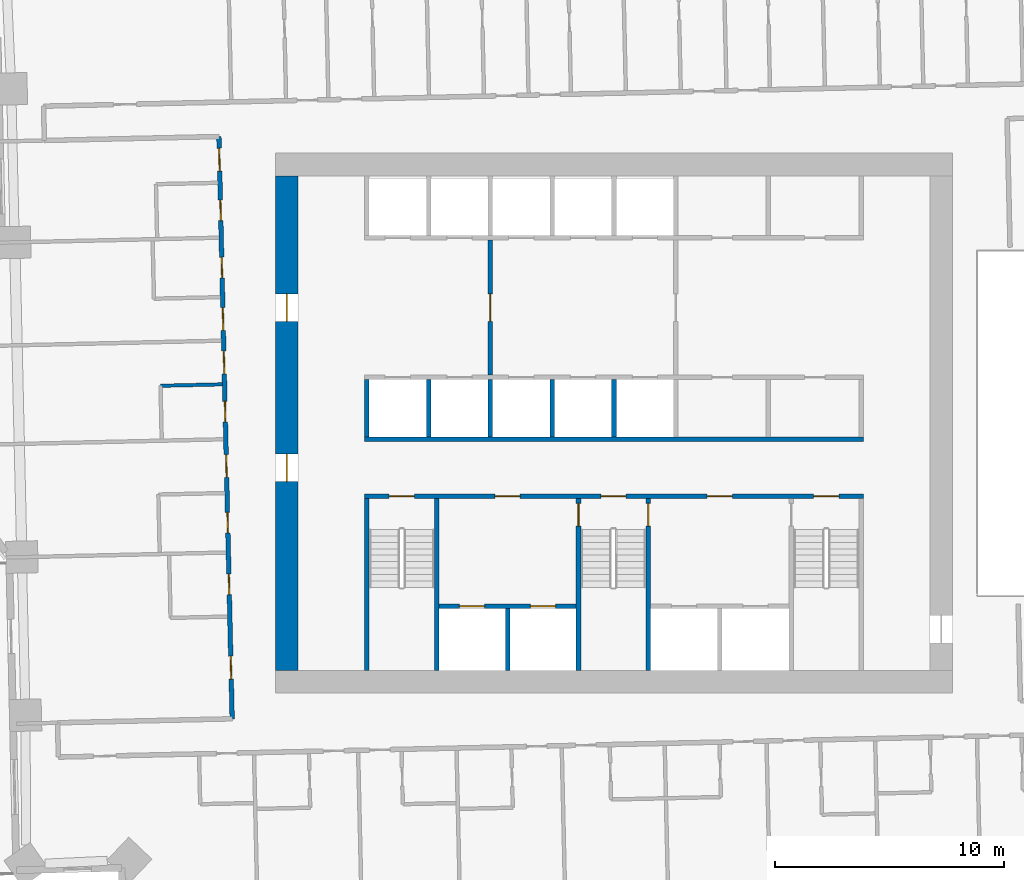
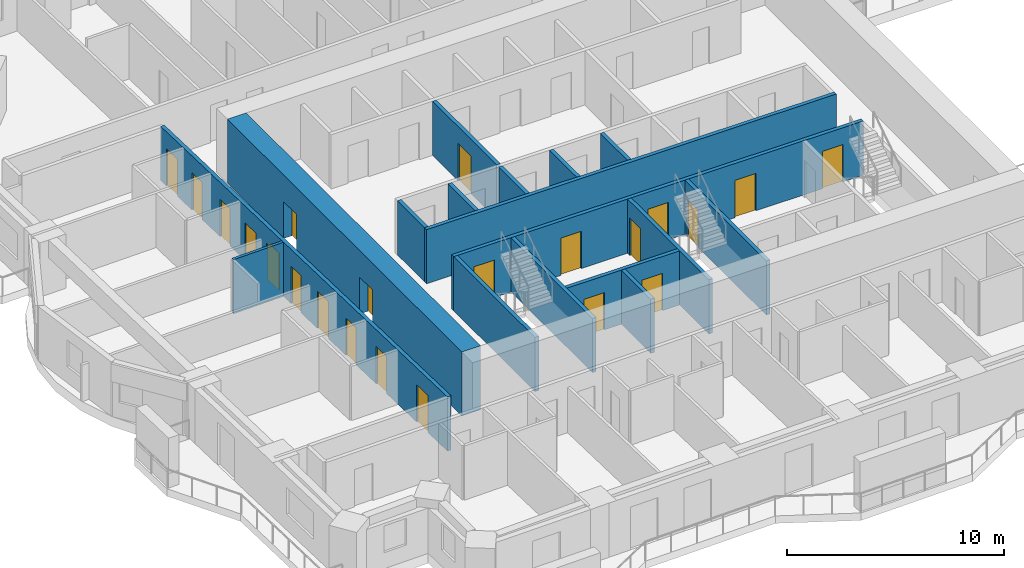
# One storey, part 8 of 17: 22 doors, 17 walls, 22 openings.
"""IFC4 building model written with IfcOpenShell, lengths in metres."""

from ifc_helpers import new_model, si_unit, direction, frame, frame_2d, origin, place, context, subcontext, project, spatial, rectangle, extrude, material, layer, layer_set, type_object, element, fill, save


model = new_model("IFC4")

# Units and contexts
model_context = context("Model", 3, precision=1e-05, world=origin(), true_north=direction((0.0, 1.0)))
body_context = subcontext(model_context, "Body", "Model", "MODEL_VIEW")
ifc_project = project(units=[si_unit("LENGTHUNIT", "METRE"), si_unit("AREAUNIT", "SQUARE_METRE"), si_unit("VOLUMEUNIT", "CUBIC_METRE"), si_unit("PLANEANGLEUNIT", "RADIAN"), si_unit("MASSUNIT", "GRAM", prefix="KILO")], contexts=[model_context])

# Site, building, storey
site_placement = place(None, origin())
site = spatial("IfcSite", under=ifc_project, at=site_placement, CompositionType="ELEMENT")
building_placement = place(site_placement, origin())
building = spatial("IfcBuilding", under=site, at=building_placement, Name="Mangrove Gate Tower", CompositionType="ELEMENT")
storey_placement = place(building_placement, frame((0.0, 0.0, 90.10009765625)))
storey = spatial("IfcBuildingStorey", under=building, at=storey_placement, Name="L22", CompositionType="ELEMENT", Elevation=90.10009765625)

# Wall, opening, door
ifc_material_1 = material(Name="Concrete C32/40", Category="concrete")
ifc_layer_1 = layer(ifc_material_1, 0.199951171875)
ifc_layer_set_1 = layer_set([ifc_layer_1], Name="Core lobby wall 200 C32/40")
wall_type_1 = type_object("IfcWallType", Name="Core lobby wall 200 C32/40", PredefinedType="STANDARD", material=ifc_layer_set_1)
wall_1_placement = place(storey_placement, frame((-5.39990234375, 2.10009765625, 0.0), z_axis=(0.0, 0.0, 1.0), x_axis=(0.0, 1.0, 0.0)))
wall_1 = element("IfcWall", 1, at=wall_1_placement, inside=storey, type_object=wall_type_1, Name="WALL-L22-CORE-35", PredefinedType="STANDARD", context=body_context, shape_type="SweptSolid", body=[
    extrude(rectangle(XDim=5.89990234375, YDim=0.199951171875, at=frame_2d((2.949951171875, 0.0))), origin(), (0.0, 0.0, 1.0), 3.0498046875),
])
opening_1_placement = place(wall_1_placement, frame((2.35009765625, 0.0, 0.0)))
opening_1 = element("IfcOpeningElement", 2, at=opening_1_placement, cuts=wall_1, Name="Opening FL12", PredefinedType="OPENING", context=body_context, shape_type="SweptSolid", body=[
    extrude(rectangle(XDim=1.199951171875, YDim=2.10009765625, at=frame_2d((0.60009765625, 1.050048828125))), frame((0.0, 0.10986328125, 0.0), z_axis=(0.0, -1.0, 0.0), x_axis=(1.0, 0.0, 0.0)), (0.0, 0.0, 1.0), 0.219970703125),
])
ifc_material_2 = material(Name="Fire-rated steel door set", Category="steel")
door_type_1 = type_object("IfcDoorType", Name="Lobby door FD60 1200x2100", OperationType="SINGLE_SWING_LEFT", PredefinedType="DOOR", material=ifc_material_2)
door_1_placement = place(opening_1_placement, origin())
door_1 = element("IfcDoor", 3, at=door_1_placement, inside=storey, type_object=door_type_1, Name="Lobby door lift lobby partition", OperationType="SINGLE_SWING_LEFT", OverallHeight=2.10009765625, OverallWidth=1.199951171875, PredefinedType="DOOR", context=body_context, shape_type="SweptSolid", body=[
    extrude(rectangle(XDim=1.199951171875, YDim=2.10009765625, at=frame_2d((0.60009765625, 1.050048828125))), frame((0.0, 0.02490234375, 0.0), z_axis=(0.0, -1.0, 0.0), x_axis=(1.0, 0.0, 0.0)), (0.0, 0.0, 1.0), 0.050048828125),
])
fill(opening_1, door_1)

# Wall
ifc_material_3 = material(Name="Concrete C70/85", Category="concrete")
ifc_layer_2 = layer(ifc_material_3, 0.199951171875)
ifc_layer_set_2 = layer_set([ifc_layer_2], Name="Core shaft wall 200 C70/85")
wall_type_2 = type_object("IfcWallType", Name="Core shaft wall 200 C70/85", PredefinedType="SHEAR", material=ifc_layer_set_2)
wall_2_placement = place(storey_placement, frame((-10.89990234375, -0.699951171875, 0.0), z_axis=(0.0, 0.0, 1.0), x_axis=(1.0, 0.0, 0.0)))
element("IfcWall", 4, at=wall_2_placement, inside=storey, type_object=wall_type_2, Name="WALL-L22-CORE-6", PredefinedType="SHEAR", context=body_context, shape_type="SweptSolid", body=[
    extrude(rectangle(XDim=21.7998046875, YDim=0.199951171875, at=frame_2d((10.89990234375, 0.0))), origin(), (0.0, 0.0, 1.0), 3.0498046875),
])

# Wall, openings, doors
wall_3_placement = place(storey_placement, frame((-7.64990234375, -8.0, 0.0), z_axis=(0.0, 0.0, 1.0), x_axis=(1.0, 0.0, 0.0)))
wall_3 = element("IfcWall", 5, at=wall_3_placement, inside=storey, type_object=wall_type_2, Name="WALL-L22-CORE-15", PredefinedType="SHEAR", context=body_context, shape_type="SweptSolid", body=[
    extrude(rectangle(XDim=6.0, YDim=0.199951171875, at=frame_2d((3.0, 0.0))), origin(), (0.0, 0.0, 1.0), 3.0498046875),
])
opening_2_placement = place(wall_3_placement, frame((0.89990234375, 0.0, 0.0)))
opening_2 = element("IfcOpeningElement", 6, at=opening_2_placement, cuts=wall_3, Name="Opening LD", PredefinedType="OPENING", context=body_context, shape_type="SweptSolid", body=[
    extrude(rectangle(XDim=1.10009765625, YDim=2.10009765625, at=frame_2d((0.550048828125, 1.050048828125))), frame((0.0, 0.10986328125, 0.0), z_axis=(0.0, -1.0, 0.0), x_axis=(1.0, 0.0, 0.0)), (0.0, 0.0, 1.0), 0.219970703125),
])
opening_3_placement = place(wall_3_placement, frame((4.0, 0.0, 0.0)))
opening_3 = element("IfcOpeningElement", 7, at=opening_3_placement, cuts=wall_3, Name="Opening LD", PredefinedType="OPENING", context=body_context, shape_type="SweptSolid", body=[
    extrude(rectangle(XDim=1.10009765625, YDim=2.10009765625, at=frame_2d((0.550048828125, 1.050048828125))), frame((0.0, 0.10986328125, 0.0), z_axis=(0.0, -1.0, 0.0), x_axis=(1.0, 0.0, 0.0)), (0.0, 0.0, 1.0), 0.219970703125),
])
ifc_material_4 = material(Name="Stainless steel 316", Category="steel")
door_type_2 = type_object("IfcDoorType", Name="Lift landing door 1100x2100", OperationType="SLIDING_TO_LEFT", PredefinedType="DOOR", material=ifc_material_4)
door_2_placement = place(opening_2_placement, origin())
door_2 = element("IfcDoor", 8, at=door_2_placement, inside=storey, type_object=door_type_2, Name="Landing door LD SVL1", OperationType="SLIDING_TO_LEFT", OverallHeight=2.10009765625, OverallWidth=1.10009765625, PredefinedType="DOOR", context=body_context, shape_type="SweptSolid", body=[
    extrude(rectangle(XDim=1.10009765625, YDim=2.10009765625, at=frame_2d((0.550048828125, 1.050048828125))), frame((0.0, 0.02490234375, 0.0), z_axis=(0.0, -1.0, 0.0), x_axis=(1.0, 0.0, 0.0)), (0.0, 0.0, 1.0), 0.050048828125),
])
fill(opening_2, door_2)
door_3_placement = place(opening_3_placement, origin())
door_3 = element("IfcDoor", 9, at=door_3_placement, inside=storey, type_object=door_type_2, Name="Landing door LD SVL2", OperationType="SLIDING_TO_LEFT", OverallHeight=2.10009765625, OverallWidth=1.10009765625, PredefinedType="DOOR", context=body_context, shape_type="SweptSolid", body=[
    extrude(rectangle(XDim=1.10009765625, YDim=2.10009765625, at=frame_2d((0.550048828125, 1.050048828125))), frame((0.0, 0.02490234375, 0.0), z_axis=(0.0, -1.0, 0.0), x_axis=(1.0, 0.0, 0.0)), (0.0, 0.0, 1.0), 0.050048828125),
])
fill(opening_3, door_3)

# Walls
wall_4_placement = place(storey_placement, frame((-4.64990234375, -10.800048828125, 0.0), z_axis=(0.0, 0.0, 1.0), x_axis=(0.0, 1.0, 0.0)))
element("IfcWall", 10, at=wall_4_placement, inside=storey, type_object=wall_type_2, Name="WALL-L22-CORE-16", PredefinedType="SHEAR", context=body_context, shape_type="SweptSolid", body=[
    extrude(rectangle(XDim=2.699951171875, YDim=0.199951171875, at=frame_2d((1.35009765625, 0.0))), origin(), (0.0, 0.0, 1.0), 3.0498046875),
])
for number, where, z_axis, x_axis, name in (
    (11, (-10.800048828125, -0.60009765625, 0.0), (0.0, 0.0, 1.0), (0.0, 1.0, 0.0), "WALL-L22-CORE-19"),
    (12, (-8.10009765625, -0.60009765625, 0.0), (0.0, 0.0, 1.0), (0.0, 1.0, 0.0), "WALL-L22-CORE-20"),
    (13, (-5.39990234375, -0.60009765625, 0.0), (0.0, 0.0, 1.0), (0.0, 1.0, 0.0), "WALL-L22-CORE-21"),
    (14, (-2.699951171875, -0.60009765625, 0.0), (0.0, 0.0, 1.0), (0.0, 1.0, 0.0), "WALL-L22-CORE-22"),
    (15, (0.0, -0.60009765625, 0.0), (0.0, 0.0, 1.0), (0.0, 1.0, 0.0), "WALL-L22-CORE-23"),
):
    element("IfcWall", number, at=place(storey_placement, frame(where, z_axis=z_axis, x_axis=x_axis)), inside=storey, type_object=wall_type_2, Name=name, PredefinedType="SHEAR", context=body_context, shape_type="SweptSolid", body=[
        extrude(rectangle(XDim=2.5, YDim=0.199951171875, at=frame_2d((1.25, 0.0))), origin(), (0.0, 0.0, 1.0), 3.0498046875),
    ])

# Wall, openings, doors
ifc_material_5 = material(Name="Concrete C70/85", Category="concrete")
ifc_layer_3 = layer(ifc_material_5, 0.199951171875)
ifc_layer_set_3 = layer_set([ifc_layer_3], Name="Core stair wall 200 C70/85")
wall_type_3 = type_object("IfcWallType", Name="Core stair wall 200 C70/85", PredefinedType="SHEAR", material=ifc_layer_set_3)
wall_5_placement = place(storey_placement, frame((-10.89990234375, -3.199951171875, 0.0), z_axis=(0.0, 0.0, 1.0), x_axis=(1.0, 0.0, 0.0)))
wall_5 = element("IfcWall", 16, at=wall_5_placement, inside=storey, type_object=wall_type_3, Name="WALL-L22-CORE-5", PredefinedType="SHEAR", context=body_context, shape_type="SweptSolid", body=[
    extrude(rectangle(XDim=21.7998046875, YDim=0.199951171875, at=frame_2d((10.89990234375, 0.0))), origin(), (0.0, 0.0, 1.0), 3.0498046875),
])
opening_4_placement = place(wall_5_placement, frame((1.074951171875, 0.0, 0.0)))
opening_4 = element("IfcOpeningElement", 17, at=opening_4_placement, cuts=wall_5, Name="Opening STD11", PredefinedType="OPENING", context=body_context, shape_type="SweptSolid", body=[
    extrude(rectangle(XDim=1.10009765625, YDim=2.10009765625, at=frame_2d((0.550048828125, 1.050048828125))), frame((0.0, 0.10986328125, 0.0), z_axis=(0.0, -1.0, 0.0), x_axis=(1.0, 0.0, 0.0)), (0.0, 0.0, 1.0), 0.219970703125),
])
opening_5_placement = place(wall_5_placement, frame((10.324951171875, 0.0, 0.0)))
opening_5 = element("IfcOpeningElement", 18, at=opening_5_placement, cuts=wall_5, Name="Opening STD11", PredefinedType="OPENING", context=body_context, shape_type="SweptSolid", body=[
    extrude(rectangle(XDim=1.10009765625, YDim=2.10009765625, at=frame_2d((0.550048828125, 1.050048828125))), frame((0.0, 0.10986328125, 0.0), z_axis=(0.0, -1.0, 0.0), x_axis=(1.0, 0.0, 0.0)), (0.0, 0.0, 1.0), 0.219970703125),
])
opening_6_placement = place(wall_5_placement, frame((19.625, 0.0, 0.0)))
opening_6 = element("IfcOpeningElement", 19, at=opening_6_placement, cuts=wall_5, Name="Opening STD11", PredefinedType="OPENING", context=body_context, shape_type="SweptSolid", body=[
    extrude(rectangle(XDim=1.10009765625, YDim=2.10009765625, at=frame_2d((0.550048828125, 1.050048828125))), frame((0.0, 0.10986328125, 0.0), z_axis=(0.0, -1.0, 0.0), x_axis=(1.0, 0.0, 0.0)), (0.0, 0.0, 1.0), 0.219970703125),
])
opening_7_placement = place(wall_5_placement, frame((5.699951171875, 0.0, 0.0)))
opening_7 = element("IfcOpeningElement", 20, at=opening_7_placement, cuts=wall_5, Name="Opening FL", PredefinedType="OPENING", context=body_context, shape_type="SweptSolid", body=[
    extrude(rectangle(XDim=1.10009765625, YDim=2.10009765625, at=frame_2d((0.550048828125, 1.050048828125))), frame((0.0, 0.10986328125, 0.0), z_axis=(0.0, -1.0, 0.0), x_axis=(1.0, 0.0, 0.0)), (0.0, 0.0, 1.0), 0.219970703125),
])
opening_8_placement = place(wall_5_placement, frame((14.97509765625, 0.0, 0.0)))
opening_8 = element("IfcOpeningElement", 21, at=opening_8_placement, cuts=wall_5, Name="Opening FL", PredefinedType="OPENING", context=body_context, shape_type="SweptSolid", body=[
    extrude(rectangle(XDim=1.10009765625, YDim=2.10009765625, at=frame_2d((0.550048828125, 1.050048828125))), frame((0.0, 0.10986328125, 0.0), z_axis=(0.0, -1.0, 0.0), x_axis=(1.0, 0.0, 0.0)), (0.0, 0.0, 1.0), 0.219970703125),
])
ifc_material_6 = material(Name="Fire-rated steel door set", Category="steel")
door_type_3 = type_object("IfcDoorType", Name="Lobby door FD60 1100x2100", OperationType="SINGLE_SWING_LEFT", PredefinedType="DOOR", material=ifc_material_6)
door_4_placement = place(opening_7_placement, origin())
door_4 = element("IfcDoor", 22, at=door_4_placement, inside=storey, type_object=door_type_3, Name="Lobby door service lobby", OperationType="SINGLE_SWING_LEFT", OverallHeight=2.10009765625, OverallWidth=1.10009765625, PredefinedType="DOOR", context=body_context, shape_type="SweptSolid", body=[
    extrude(rectangle(XDim=1.10009765625, YDim=2.10009765625, at=frame_2d((0.550048828125, 1.050048828125))), frame((0.0, 0.02490234375, 0.0), z_axis=(0.0, -1.0, 0.0), x_axis=(1.0, 0.0, 0.0)), (0.0, 0.0, 1.0), 0.050048828125),
])
fill(opening_7, door_4)
door_5_placement = place(opening_8_placement, origin())
door_5 = element("IfcDoor", 23, at=door_5_placement, inside=storey, type_object=door_type_3, Name="Lobby door fire-fighting lobby", OperationType="SINGLE_SWING_LEFT", OverallHeight=2.10009765625, OverallWidth=1.10009765625, PredefinedType="DOOR", context=body_context, shape_type="SweptSolid", body=[
    extrude(rectangle(XDim=1.10009765625, YDim=2.10009765625, at=frame_2d((0.550048828125, 1.050048828125))), frame((0.0, 0.02490234375, 0.0), z_axis=(0.0, -1.0, 0.0), x_axis=(1.0, 0.0, 0.0)), (0.0, 0.0, 1.0), 0.050048828125),
])
fill(opening_8, door_5)
ifc_material_7 = material(Name="Fire-rated steel door set", Category="steel")
door_type_4 = type_object("IfcDoorType", Name="Stair door FD60 1100x2100", OperationType="SINGLE_SWING_RIGHT", PredefinedType="DOOR", material=ifc_material_7)
door_6_placement = place(opening_4_placement, origin())
door_6 = element("IfcDoor", 24, at=door_6_placement, inside=storey, type_object=door_type_4, Name="Stair door Stair 1", OperationType="SINGLE_SWING_RIGHT", OverallHeight=2.10009765625, OverallWidth=1.10009765625, PredefinedType="DOOR", context=body_context, shape_type="SweptSolid", body=[
    extrude(rectangle(XDim=1.10009765625, YDim=2.10009765625, at=frame_2d((0.550048828125, 1.050048828125))), frame((0.0, 0.02490234375, 0.0), z_axis=(0.0, -1.0, 0.0), x_axis=(1.0, 0.0, 0.0)), (0.0, 0.0, 1.0), 0.050048828125),
])
fill(opening_4, door_6)
door_7_placement = place(opening_5_placement, origin())
door_7 = element("IfcDoor", 25, at=door_7_placement, inside=storey, type_object=door_type_4, Name="Stair door Stair 2", OperationType="SINGLE_SWING_RIGHT", OverallHeight=2.10009765625, OverallWidth=1.10009765625, PredefinedType="DOOR", context=body_context, shape_type="SweptSolid", body=[
    extrude(rectangle(XDim=1.10009765625, YDim=2.10009765625, at=frame_2d((0.550048828125, 1.050048828125))), frame((0.0, 0.02490234375, 0.0), z_axis=(0.0, -1.0, 0.0), x_axis=(1.0, 0.0, 0.0)), (0.0, 0.0, 1.0), 0.050048828125),
])
fill(opening_5, door_7)
door_8_placement = place(opening_6_placement, origin())
door_8 = element("IfcDoor", 26, at=door_8_placement, inside=storey, type_object=door_type_4, Name="Stair door Stair 3", OperationType="SINGLE_SWING_RIGHT", OverallHeight=2.10009765625, OverallWidth=1.10009765625, PredefinedType="DOOR", context=body_context, shape_type="SweptSolid", body=[
    extrude(rectangle(XDim=1.10009765625, YDim=2.10009765625, at=frame_2d((0.550048828125, 1.050048828125))), frame((0.0, 0.02490234375, 0.0), z_axis=(0.0, -1.0, 0.0), x_axis=(1.0, 0.0, 0.0)), (0.0, 0.0, 1.0), 0.050048828125),
])
fill(opening_6, door_8)

# Walls
for number, where, z_axis, x_axis, name in (
    (27, (-10.800048828125, -10.800048828125, 0.0), (0.0, 0.0, 1.0), (0.0, 1.0, 0.0), "WALL-L22-CORE-9"),
    (28, (-7.75, -10.800048828125, 0.0), (0.0, 0.0, 1.0), (0.0, 1.0, 0.0), "WALL-L22-CORE-10"),
):
    element("IfcWall", number, at=place(storey_placement, frame(where, z_axis=z_axis, x_axis=x_axis)), inside=storey, type_object=wall_type_3, Name=name, PredefinedType="SHEAR", context=body_context, shape_type="SweptSolid", body=[
        extrude(rectangle(XDim=7.5, YDim=0.199951171875, at=frame_2d((3.75, 0.0))), origin(), (0.0, 0.0, 1.0), 3.0498046875),
    ])

# Wall, opening, door
wall_6_placement = place(storey_placement, frame((-1.550048828125, -10.800048828125, 0.0), z_axis=(0.0, 0.0, 1.0), x_axis=(0.0, 1.0, 0.0)))
wall_6 = element("IfcWall", 29, at=wall_6_placement, inside=storey, type_object=wall_type_3, Name="WALL-L22-CORE-11", PredefinedType="SHEAR", context=body_context, shape_type="SweptSolid", body=[
    extrude(rectangle(XDim=7.5, YDim=0.199951171875, at=frame_2d((3.75, 0.0))), origin(), (0.0, 0.0, 1.0), 3.0498046875),
])
opening_9_placement = place(wall_6_placement, frame((6.300048828125, 0.0, 0.0)))
opening_9 = element("IfcOpeningElement", 30, at=opening_9_placement, cuts=wall_6, Name="Opening STD10", PredefinedType="OPENING", context=body_context, shape_type="SweptSolid", body=[
    extrude(rectangle(XDim=1.0, YDim=2.10009765625, at=frame_2d((0.5, 1.050048828125))), frame((0.0, 0.10986328125, 0.0), z_axis=(0.0, -1.0, 0.0), x_axis=(1.0, 0.0, 0.0)), (0.0, 0.0, 1.0), 0.219970703125),
])
ifc_material_8 = material(Name="Fire-rated steel door set", Category="steel")
door_type_5 = type_object("IfcDoorType", Name="Stair door FD60 1000x2100", OperationType="SINGLE_SWING_RIGHT", PredefinedType="DOOR", material=ifc_material_8)
door_9_placement = place(opening_9_placement, origin())
door_9 = element("IfcDoor", 31, at=door_9_placement, inside=storey, type_object=door_type_5, Name="Stair door Stair 2 from service lobby", OperationType="SINGLE_SWING_RIGHT", OverallHeight=2.10009765625, OverallWidth=1.0, PredefinedType="DOOR", context=body_context, shape_type="SweptSolid", body=[
    extrude(rectangle(XDim=1.0, YDim=2.10009765625, at=frame_2d((0.5, 1.050048828125))), frame((0.0, 0.02490234375, 0.0), z_axis=(0.0, -1.0, 0.0), x_axis=(1.0, 0.0, 0.0)), (0.0, 0.0, 1.0), 0.050048828125),
])
fill(opening_9, door_9)

wall_7_placement = place(storey_placement, frame((1.5, -10.800048828125, 0.0), z_axis=(0.0, 0.0, 1.0), x_axis=(0.0, 1.0, 0.0)))
wall_7 = element("IfcWall", 32, at=wall_7_placement, inside=storey, type_object=wall_type_3, Name="WALL-L22-CORE-12", PredefinedType="SHEAR", context=body_context, shape_type="SweptSolid", body=[
    extrude(rectangle(XDim=7.5, YDim=0.199951171875, at=frame_2d((3.75, 0.0))), origin(), (0.0, 0.0, 1.0), 3.0498046875),
])
opening_10_placement = place(wall_7_placement, frame((6.300048828125, 0.0, 0.0)))
opening_10 = element("IfcOpeningElement", 33, at=opening_10_placement, cuts=wall_7, Name="Opening STD10", PredefinedType="OPENING", context=body_context, shape_type="SweptSolid", body=[
    extrude(rectangle(XDim=1.0, YDim=2.10009765625, at=frame_2d((0.5, 1.050048828125))), frame((0.0, 0.10986328125, 0.0), z_axis=(0.0, -1.0, 0.0), x_axis=(1.0, 0.0, 0.0)), (0.0, 0.0, 1.0), 0.219970703125),
])
door_10_placement = place(opening_10_placement, origin())
door_10 = element("IfcDoor", 34, at=door_10_placement, inside=storey, type_object=door_type_5, Name="Stair door Stair 2 from fire-fighting lobby", OperationType="SINGLE_SWING_RIGHT", OverallHeight=2.10009765625, OverallWidth=1.0, PredefinedType="DOOR", context=body_context, shape_type="SweptSolid", body=[
    extrude(rectangle(XDim=1.0, YDim=2.10009765625, at=frame_2d((0.5, 1.050048828125))), frame((0.0, 0.02490234375, 0.0), z_axis=(0.0, -1.0, 0.0), x_axis=(1.0, 0.0, 0.0)), (0.0, 0.0, 1.0), 0.050048828125),
])
fill(opening_10, door_10)

# Wall, openings, doors
ifc_material_9 = material(Name="Concrete C70/85", Category="concrete")
ifc_layer_4 = layer(ifc_material_9, 1.0)
ifc_layer_set_4 = layer_set([ifc_layer_4], Name="Core wall 1000 C70/85")
wall_type_4 = type_object("IfcWallType", Name="Core wall 1000 C70/85", PredefinedType="SHEAR", material=ifc_layer_set_4)
wall_8_placement = place(storey_placement, frame((-14.300048828125, -10.800048828125, 0.0), z_axis=(0.0, 0.0, 1.0), x_axis=(0.0, 1.0, 0.0)))
wall_8 = element("IfcWall", 35, at=wall_8_placement, inside=storey, type_object=wall_type_4, Name="WALL-L22-CORE-3", PredefinedType="SHEAR", context=body_context, shape_type="SweptSolid", body=[
    extrude(rectangle(XDim=21.60009765625, YDim=1.0, at=frame_2d((10.800048828125, 0.0))), origin(), (0.0, 0.0, 1.0), 3.599853515625),
])
opening_11_placement = place(wall_8_placement, frame((8.25, 0.0, 0.0)))
opening_11 = element("IfcOpeningElement", 36, at=opening_11_placement, cuts=wall_8, Name="Opening CD", PredefinedType="OPENING", context=body_context, shape_type="SweptSolid", body=[
    extrude(rectangle(XDim=1.199951171875, YDim=2.10009765625, at=frame_2d((0.60009765625, 1.050048828125))), frame((0.0, 0.510009765625, 0.0), z_axis=(0.0, -1.0, 0.0), x_axis=(1.0, 0.0, 0.0)), (0.0, 0.0, 1.0), 1.02001953125),
])
opening_12_placement = place(wall_8_placement, frame((15.25, 0.0, 0.0)))
opening_12 = element("IfcOpeningElement", 37, at=opening_12_placement, cuts=wall_8, Name="Opening CD", PredefinedType="OPENING", context=body_context, shape_type="SweptSolid", body=[
    extrude(rectangle(XDim=1.199951171875, YDim=2.10009765625, at=frame_2d((0.60009765625, 1.050048828125))), frame((0.0, 0.510009765625, 0.0), z_axis=(0.0, -1.0, 0.0), x_axis=(1.0, 0.0, 0.0)), (0.0, 0.0, 1.0), 1.02001953125),
])
ifc_material_10 = material(Name="Fire-rated steel door set", Category="steel")
door_type_6 = type_object("IfcDoorType", Name="Core ring door FD60 1200x2100", OperationType="DOUBLE_DOOR_SINGLE_SWING", PredefinedType="DOOR", material=ifc_material_10)
door_11_placement = place(opening_11_placement, origin())
door_11 = element("IfcDoor", 38, at=door_11_placement, inside=storey, type_object=door_type_6, Name="Core ring door W1", OperationType="DOUBLE_DOOR_SINGLE_SWING", OverallHeight=2.10009765625, OverallWidth=1.199951171875, PredefinedType="DOOR", context=body_context, shape_type="SweptSolid", body=[
    extrude(rectangle(XDim=1.199951171875, YDim=2.10009765625, at=frame_2d((0.60009765625, 1.050048828125))), frame((0.0, 0.02490234375, 0.0), z_axis=(0.0, -1.0, 0.0), x_axis=(1.0, 0.0, 0.0)), (0.0, 0.0, 1.0), 0.050048828125),
])
fill(opening_11, door_11)
door_12_placement = place(opening_12_placement, origin())
door_12 = element("IfcDoor", 39, at=door_12_placement, inside=storey, type_object=door_type_6, Name="Core ring door W2", OperationType="DOUBLE_DOOR_SINGLE_SWING", OverallHeight=2.10009765625, OverallWidth=1.199951171875, PredefinedType="DOOR", context=body_context, shape_type="SweptSolid", body=[
    extrude(rectangle(XDim=1.199951171875, YDim=2.10009765625, at=frame_2d((0.60009765625, 1.050048828125))), frame((0.0, 0.02490234375, 0.0), z_axis=(0.0, -1.0, 0.0), x_axis=(1.0, 0.0, 0.0)), (0.0, 0.0, 1.0), 0.050048828125),
])
fill(opening_12, door_12)

ifc_material_11 = material(Name="Gypsum board on steel stud, EI 60", Category="steel")
ifc_layer_5 = layer(ifc_material_11, 0.199951171875)
ifc_layer_set_5 = layer_set([ifc_layer_5], Name="Corridor wall EI 60")
wall_type_5 = type_object("IfcWallType", Name="Corridor wall EI 60", PredefinedType="PARTITIONING", material=ifc_layer_set_5)
wall_9_placement = place(storey_placement, frame((-16.68408203125, -12.9189453125, 0.0), z_axis=(0.0, 0.0, 1.0), x_axis=(-0.022706151961, 0.999742182097, 0.0)))
wall_9 = element("IfcWall", 40, at=wall_9_placement, inside=storey, type_object=wall_type_5, Name="WALL-L22-034", PredefinedType="PARTITIONING", context=body_context, shape_type="SweptSolid", body=[
    extrude(rectangle(XDim=25.450439453125, YDim=0.199951171875, at=frame_2d((12.72509765625, 0.0))), origin(), (0.0, 0.0, 1.0), 3.0498046875),
])
opening_13_placement = place(wall_9_placement, frame((23.93798828125, 0.0, 0.0)))
opening_13 = element("IfcOpeningElement", 41, at=opening_13_placement, cuts=wall_9, Name="Opening AD", PredefinedType="OPENING", context=body_context, shape_type="SweptSolid", body=[
    extrude(rectangle(XDim=1.0, YDim=2.10009765625, at=frame_2d((0.5, 1.050048828125))), frame((0.0, 0.10986328125, 0.0), z_axis=(0.0, -1.0, 0.0), x_axis=(1.0, 0.0, 0.0)), (0.0, 0.0, 1.0), 0.219970703125),
])
opening_14_placement = place(wall_9_placement, frame((21.77490234375, 0.0, 0.0)))
opening_14 = element("IfcOpeningElement", 42, at=opening_14_placement, cuts=wall_9, Name="Opening SD", PredefinedType="OPENING", context=body_context, shape_type="SweptSolid", body=[
    extrude(rectangle(XDim=0.89990234375, YDim=2.10009765625, at=frame_2d((0.449951171875, 1.050048828125))), frame((0.0, 0.10986328125, 0.0), z_axis=(0.0, -1.0, 0.0), x_axis=(1.0, 0.0, 0.0)), (0.0, 0.0, 1.0), 0.219970703125),
])
opening_15_placement = place(wall_9_placement, frame((16.97509765625, 0.0, 0.0)))
opening_15 = element("IfcOpeningElement", 43, at=opening_15_placement, cuts=wall_9, Name="Opening AD", PredefinedType="OPENING", context=body_context, shape_type="SweptSolid", body=[
    extrude(rectangle(XDim=1.0, YDim=2.10009765625, at=frame_2d((0.5, 1.050048828125))), frame((0.0, 0.10986328125, 0.0), z_axis=(0.0, -1.0, 0.0), x_axis=(1.0, 0.0, 0.0)), (0.0, 0.0, 1.0), 0.219970703125),
])
opening_16_placement = place(wall_9_placement, frame((19.27490234375, 0.0, 0.0)))
opening_16 = element("IfcOpeningElement", 44, at=opening_16_placement, cuts=wall_9, Name="Opening SD", PredefinedType="OPENING", context=body_context, shape_type="SweptSolid", body=[
    extrude(rectangle(XDim=0.89990234375, YDim=2.10009765625, at=frame_2d((0.449951171875, 1.050048828125))), frame((0.0, 0.10986328125, 0.0), z_axis=(0.0, -1.0, 0.0), x_axis=(1.0, 0.0, 0.0)), (0.0, 0.0, 1.0), 0.219970703125),
])
opening_17_placement = place(wall_9_placement, frame((15.074951171875, 0.0, 0.0)))
opening_17 = element("IfcOpeningElement", 45, at=opening_17_placement, cuts=wall_9, Name="Opening AD", PredefinedType="OPENING", context=body_context, shape_type="SweptSolid", body=[
    extrude(rectangle(XDim=1.0, YDim=2.10009765625, at=frame_2d((0.5, 1.050048828125))), frame((0.0, 0.10986328125, 0.0), z_axis=(0.0, -1.0, 0.0), x_axis=(1.0, 0.0, 0.0)), (0.0, 0.0, 1.0), 0.219970703125),
])
opening_18_placement = place(wall_9_placement, frame((12.97509765625, 0.0, 0.0)))
opening_18 = element("IfcOpeningElement", 46, at=opening_18_placement, cuts=wall_9, Name="Opening SD", PredefinedType="OPENING", context=body_context, shape_type="SweptSolid", body=[
    extrude(rectangle(XDim=0.89990234375, YDim=2.10009765625, at=frame_2d((0.449951171875, 1.050048828125))), frame((0.0, 0.10986328125, 0.0), z_axis=(0.0, -1.0, 0.0), x_axis=(1.0, 0.0, 0.0)), (0.0, 0.0, 1.0), 0.219970703125),
])
opening_19_placement = place(wall_9_placement, frame((10.550048828125, 0.0, 0.0)))
opening_19 = element("IfcOpeningElement", 47, at=opening_19_placement, cuts=wall_9, Name="Opening AD", PredefinedType="OPENING", context=body_context, shape_type="SweptSolid", body=[
    extrude(rectangle(XDim=1.0, YDim=2.10009765625, at=frame_2d((0.5, 1.050048828125))), frame((0.0, 0.10986328125, 0.0), z_axis=(0.0, -1.0, 0.0), x_axis=(1.0, 0.0, 0.0)), (0.0, 0.0, 1.0), 0.219970703125),
])
opening_20_placement = place(wall_9_placement, frame((8.125, 0.0, 0.0)))
opening_20 = element("IfcOpeningElement", 48, at=opening_20_placement, cuts=wall_9, Name="Opening SD", PredefinedType="OPENING", context=body_context, shape_type="SweptSolid", body=[
    extrude(rectangle(XDim=0.89990234375, YDim=2.10009765625, at=frame_2d((0.449951171875, 1.050048828125))), frame((0.0, 0.10986328125, 0.0), z_axis=(0.0, -1.0, 0.0), x_axis=(1.0, 0.0, 0.0)), (0.0, 0.0, 1.0), 0.219970703125),
])
opening_21_placement = place(wall_9_placement, frame((1.737060546875, 0.0, 0.0)))
opening_21 = element("IfcOpeningElement", 49, at=opening_21_placement, cuts=wall_9, Name="Opening AD", PredefinedType="OPENING", context=body_context, shape_type="SweptSolid", body=[
    extrude(rectangle(XDim=1.0, YDim=2.10009765625, at=frame_2d((0.5, 1.050048828125))), frame((0.0, 0.10986328125, 0.0), z_axis=(0.0, -1.0, 0.0), x_axis=(1.0, 0.0, 0.0)), (0.0, 0.0, 1.0), 0.219970703125),
])
opening_22_placement = place(wall_9_placement, frame((5.425048828125, 0.0, 0.0)))
opening_22 = element("IfcOpeningElement", 50, at=opening_22_placement, cuts=wall_9, Name="Opening SD", PredefinedType="OPENING", context=body_context, shape_type="SweptSolid", body=[
    extrude(rectangle(XDim=0.89990234375, YDim=2.10009765625, at=frame_2d((0.449951171875, 1.050048828125))), frame((0.0, 0.10986328125, 0.0), z_axis=(0.0, -1.0, 0.0), x_axis=(1.0, 0.0, 0.0)), (0.0, 0.0, 1.0), 0.219970703125),
])
ifc_material_12 = material(Name="Timber door leaf", Category="wood")
door_type_7 = type_object("IfcDoorType", Name="Amenity door 1000", OperationType="SINGLE_SWING_LEFT", PredefinedType="DOOR", material=ifc_material_12)
door_13_placement = place(opening_13_placement, origin())
door_13 = element("IfcDoor", 51, at=door_13_placement, inside=storey, type_object=door_type_7, Name="DOOR-L22-STU-c5a", OperationType="SINGLE_SWING_LEFT", OverallHeight=2.10009765625, OverallWidth=1.0, PredefinedType="DOOR", context=body_context, shape_type="SweptSolid", body=[
    extrude(rectangle(XDim=1.0, YDim=2.10009765625, at=frame_2d((0.5, 1.050048828125))), frame((0.0, 0.02490234375, 0.0), z_axis=(0.0, -1.0, 0.0), x_axis=(1.0, 0.0, 0.0)), (0.0, 0.0, 1.0), 0.050048828125),
])
fill(opening_13, door_13)
door_14_placement = place(opening_15_placement, origin())
door_14 = element("IfcDoor", 52, at=door_14_placement, inside=storey, type_object=door_type_7, Name="DOOR-L22-STU-c5b", OperationType="SINGLE_SWING_RIGHT", OverallHeight=2.10009765625, OverallWidth=1.0, PredefinedType="DOOR", context=body_context, shape_type="SweptSolid", body=[
    extrude(rectangle(XDim=1.0, YDim=2.10009765625, at=frame_2d((0.5, 1.050048828125))), frame((0.0, 0.02490234375, 0.0), z_axis=(0.0, -1.0, 0.0), x_axis=(1.0, 0.0, 0.0)), (0.0, 0.0, 1.0), 0.050048828125),
])
fill(opening_15, door_14)
door_15_placement = place(opening_17_placement, origin())
door_15 = element("IfcDoor", 53, at=door_15_placement, inside=storey, type_object=door_type_7, Name="DOOR-L22-STU-c5c", OperationType="SINGLE_SWING_LEFT", OverallHeight=2.10009765625, OverallWidth=1.0, PredefinedType="DOOR", context=body_context, shape_type="SweptSolid", body=[
    extrude(rectangle(XDim=1.0, YDim=2.10009765625, at=frame_2d((0.5, 1.050048828125))), frame((0.0, 0.02490234375, 0.0), z_axis=(0.0, -1.0, 0.0), x_axis=(1.0, 0.0, 0.0)), (0.0, 0.0, 1.0), 0.050048828125),
])
fill(opening_17, door_15)
door_16_placement = place(opening_19_placement, origin())
door_16 = element("IfcDoor", 54, at=door_16_placement, inside=storey, type_object=door_type_7, Name="DOOR-L22-LNG-c5b", OperationType="SINGLE_SWING_RIGHT", OverallHeight=2.10009765625, OverallWidth=1.0, PredefinedType="DOOR", context=body_context, shape_type="SweptSolid", body=[
    extrude(rectangle(XDim=1.0, YDim=2.10009765625, at=frame_2d((0.5, 1.050048828125))), frame((0.0, 0.02490234375, 0.0), z_axis=(0.0, -1.0, 0.0), x_axis=(1.0, 0.0, 0.0)), (0.0, 0.0, 1.0), 0.050048828125),
])
fill(opening_19, door_16)
door_17_placement = place(opening_21_placement, origin())
door_17 = element("IfcDoor", 55, at=door_17_placement, inside=storey, type_object=door_type_7, Name="DOOR-L22-LNG-c5c", OperationType="SINGLE_SWING_LEFT", OverallHeight=2.10009765625, OverallWidth=1.0, PredefinedType="DOOR", context=body_context, shape_type="SweptSolid", body=[
    extrude(rectangle(XDim=1.0, YDim=2.10009765625, at=frame_2d((0.5, 1.050048828125))), frame((0.0, 0.02490234375, 0.0), z_axis=(0.0, -1.0, 0.0), x_axis=(1.0, 0.0, 0.0)), (0.0, 0.0, 1.0), 0.050048828125),
])
fill(opening_21, door_17)
ifc_material_13 = material(Name="Timber door leaf", Category="wood")
door_type_8 = type_object("IfcDoorType", Name="Service room door 900", OperationType="SINGLE_SWING_LEFT", PredefinedType="DOOR", material=ifc_material_13)
door_18_placement = place(opening_14_placement, origin())
door_18 = element("IfcDoor", 56, at=door_18_placement, inside=storey, type_object=door_type_8, Name="DOOR-L22-WC-c5a", OperationType="SINGLE_SWING_LEFT", OverallHeight=2.10009765625, OverallWidth=0.89990234375, PredefinedType="DOOR", context=body_context, shape_type="SweptSolid", body=[
    extrude(rectangle(XDim=0.89990234375, YDim=2.10009765625, at=frame_2d((0.449951171875, 1.050048828125))), frame((0.0, 0.02490234375, 0.0), z_axis=(0.0, -1.0, 0.0), x_axis=(1.0, 0.0, 0.0)), (0.0, 0.0, 1.0), 0.050048828125),
])
fill(opening_14, door_18)
door_19_placement = place(opening_16_placement, origin())
door_19 = element("IfcDoor", 57, at=door_19_placement, inside=storey, type_object=door_type_8, Name="DOOR-L22-AWC-c5a", OperationType="SINGLE_SWING_RIGHT", OverallHeight=2.10009765625, OverallWidth=0.89990234375, PredefinedType="DOOR", context=body_context, shape_type="SweptSolid", body=[
    extrude(rectangle(XDim=0.89990234375, YDim=2.10009765625, at=frame_2d((0.449951171875, 1.050048828125))), frame((0.0, 0.02490234375, 0.0), z_axis=(0.0, -1.0, 0.0), x_axis=(1.0, 0.0, 0.0)), (0.0, 0.0, 1.0), 0.050048828125),
])
fill(opening_16, door_19)
door_20_placement = place(opening_18_placement, origin())
door_20 = element("IfcDoor", 58, at=door_20_placement, inside=storey, type_object=door_type_8, Name="DOOR-L22-WC-c5b", OperationType="SINGLE_SWING_LEFT", OverallHeight=2.10009765625, OverallWidth=0.89990234375, PredefinedType="DOOR", context=body_context, shape_type="SweptSolid", body=[
    extrude(rectangle(XDim=0.89990234375, YDim=2.10009765625, at=frame_2d((0.449951171875, 1.050048828125))), frame((0.0, 0.02490234375, 0.0), z_axis=(0.0, -1.0, 0.0), x_axis=(1.0, 0.0, 0.0)), (0.0, 0.0, 1.0), 0.050048828125),
])
fill(opening_18, door_20)
door_21_placement = place(opening_20_placement, origin())
door_21 = element("IfcDoor", 59, at=door_21_placement, inside=storey, type_object=door_type_8, Name="DOOR-L22-AWC-c5b", OperationType="SINGLE_SWING_RIGHT", OverallHeight=2.10009765625, OverallWidth=0.89990234375, PredefinedType="DOOR", context=body_context, shape_type="SweptSolid", body=[
    extrude(rectangle(XDim=0.89990234375, YDim=2.10009765625, at=frame_2d((0.449951171875, 1.050048828125))), frame((0.0, 0.02490234375, 0.0), z_axis=(0.0, -1.0, 0.0), x_axis=(1.0, 0.0, 0.0)), (0.0, 0.0, 1.0), 0.050048828125),
])
fill(opening_20, door_21)
door_22_placement = place(opening_22_placement, origin())
door_22 = element("IfcDoor", 60, at=door_22_placement, inside=storey, type_object=door_type_8, Name="DOOR-L22-LDY-c5a", OperationType="SINGLE_SWING_LEFT", OverallHeight=2.10009765625, OverallWidth=0.89990234375, PredefinedType="DOOR", context=body_context, shape_type="SweptSolid", body=[
    extrude(rectangle(XDim=0.89990234375, YDim=2.10009765625, at=frame_2d((0.449951171875, 1.050048828125))), frame((0.0, 0.02490234375, 0.0), z_axis=(0.0, -1.0, 0.0), x_axis=(1.0, 0.0, 0.0)), (0.0, 0.0, 1.0), 0.050048828125),
])
fill(opening_22, door_22)

# Wall
ifc_material_14 = material(Name="Gypsum board on steel stud, EI 60", Category="steel")
ifc_layer_6 = layer(ifc_material_14, 0.14990234375)
ifc_layer_set_6 = layer_set([ifc_layer_6], Name="Party wall 150 EI 60")
wall_type_6 = type_object("IfcWallType", Name="Party wall 150 EI 60", PredefinedType="PARTITIONING", material=ifc_layer_set_6)
wall_10_placement = place(storey_placement, frame((-19.81005859375, 1.634033203125, 0.0), z_axis=(0.0, 0.0, 1.0), x_axis=(0.999736155505, 0.022969966847, 0.0)))
element("IfcWall", 61, at=wall_10_placement, inside=storey, type_object=wall_type_6, Name="WALL-L22-045", PredefinedType="PARTITIONING", context=body_context, shape_type="SweptSolid", body=[
    extrude(rectangle(XDim=2.69970703125, YDim=0.14990234375, at=frame_2d((1.349853515625, 0.0))), origin(), (0.0, 0.0, 1.0), 3.0498046875),
])

save(model, "model.ifc")
